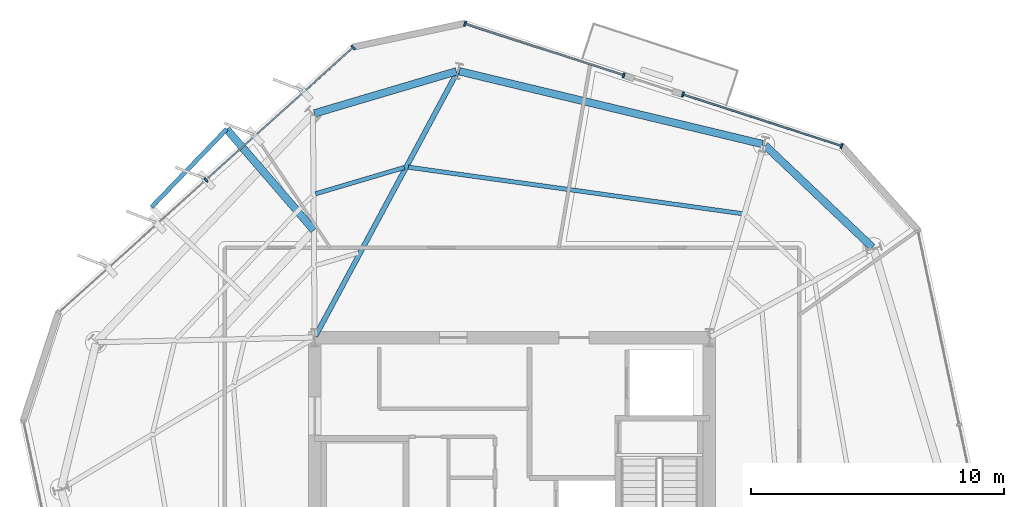
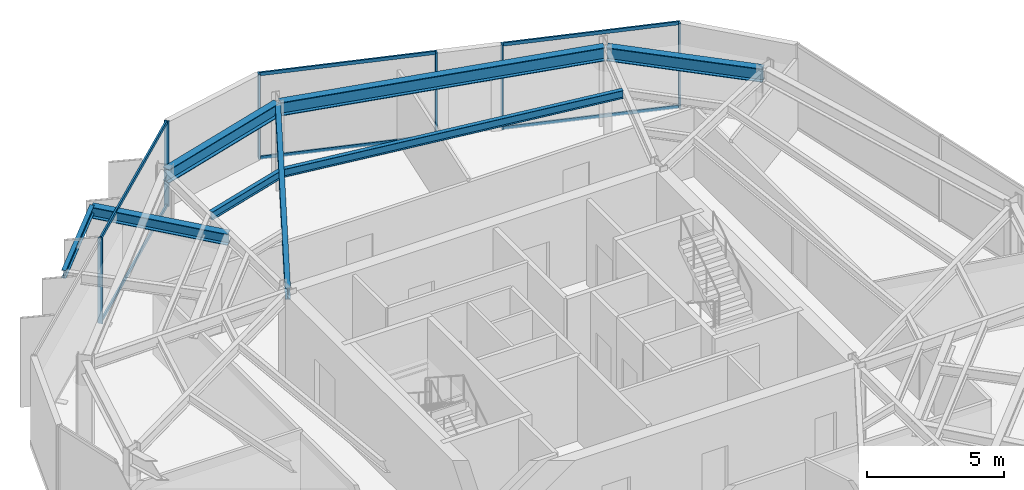
# One storey, part 5 of 11: 12 members, 8 beams, 3 elements without a shape of their own.
"""IFC4 building model written with IfcOpenShell, lengths in metres."""

from ifc_helpers import new_model, si_unit, direction, frame, origin, origin_2d, place, context, subcontext, project, spatial, rectangle, i_section, extrude, material, layer, layer_set, material_profile, profile_set, type_object, element, aggregate, save


model = new_model("IFC4")

# Units and contexts
model_context = context("Model", 3, precision=1e-05, world=origin(), true_north=direction((0.0, 1.0)))
body_context = subcontext(model_context, "Body", "Model", "MODEL_VIEW")
ifc_project = project(units=[si_unit("LENGTHUNIT", "METRE"), si_unit("AREAUNIT", "SQUARE_METRE"), si_unit("VOLUMEUNIT", "CUBIC_METRE"), si_unit("PLANEANGLEUNIT", "RADIAN"), si_unit("MASSUNIT", "GRAM", prefix="KILO")], contexts=[model_context])

# Site, building, storey
site_placement = place(None, origin())
site = spatial("IfcSite", under=ifc_project, at=site_placement, CompositionType="ELEMENT")
building_placement = place(site_placement, origin())
building = spatial("IfcBuilding", under=site, at=building_placement, Name="Kranzbogen Civic Tower", CompositionType="ELEMENT")
storey_placement = place(building_placement, frame((0.0, 0.0, 192.800048828125)))
storey = spatial("IfcBuildingStorey", under=building, at=storey_placement, Name="L46", CompositionType="ELEMENT", Elevation=192.800048828125)

# Curtain wall, members
ifc_material_1 = material(Name="Pale Anodised Aluminium", Category="aluminium")
ifc_layer = layer(ifc_material_1, 0.219970703125, Name="Pale Anodised Aluminium")
ifc_layer_set = layer_set([ifc_layer], Name="Pale Anodised Aluminium")
curtain_wall_type = type_object("IfcCurtainWallType", Name="Zone 3 Stick Curtain Wall System CW-04", PredefinedType="USERDEFINED", material=ifc_layer_set)
curtain_wall_1_placement = place(storey_placement, origin())
curtain_wall_1 = element("IfcCurtainWall", 1, at=curtain_wall_1_placement, inside=storey, type_object=curtain_wall_type, Name="L46 curtain wall CW-L46-F1-S1", ObjectType="STICK CURTAIN WALL", PredefinedType="USERDEFINED")
ifc_material_profile_1 = material_profile(ifc_material_1, rectangle(XDim=0.070068359375, YDim=0.199951171875, at=origin_2d()), Name="ALU-M 70x200")
ifc_profile_set_1 = profile_set([ifc_material_profile_1], Name="Pale Anodised Aluminium")
member_type_1 = type_object("IfcMemberType", Name="Curtain Wall Mullion ALU-M 70x200", PredefinedType="MULLION", material=ifc_profile_set_1)
member_1_placement = place(storey_placement, frame((38.025390625, 39.769287109375, 0.0), z_axis=(0.0, 0.0, 1.0), x_axis=(-0.951060572713, 0.309004509725, 0.0)))
member_1 = element("IfcMember", 2, at=member_1_placement, type_object=member_type_1, Name="CW-04 mullion 1", PredefinedType="MULLION", context=body_context, shape_type="SweptSolid", body=[
    extrude(rectangle(XDim=0.070068359375, YDim=0.199951171875, at=origin_2d()), origin(), (0.0, 0.0, 1.0), 3.780029296875),
])
member_2_placement = place(storey_placement, frame((31.754638671875, 41.806640625, 0.0), z_axis=(0.0, 0.0, 1.0), x_axis=(-0.951060572713, 0.309004509725, 0.0)))
member_2 = element("IfcMember", 3, at=member_2_placement, type_object=member_type_1, Name="CW-04 mullion 2", PredefinedType="MULLION", context=body_context, shape_type="SweptSolid", body=[
    extrude(rectangle(XDim=0.070068359375, YDim=0.199951171875, at=origin_2d()), origin(), (0.0, 0.0, 1.0), 3.780029296875),
])

curtain_wall_2_placement = place(storey_placement, origin())
curtain_wall_2 = element("IfcCurtainWall", 4, at=curtain_wall_2_placement, inside=storey, type_object=curtain_wall_type, Name="L46 curtain wall CW-L46-F1-S2", ObjectType="STICK CURTAIN WALL", PredefinedType="USERDEFINED")
member_3_placement = place(storey_placement, frame((29.41455078125, 42.5673828125, 0.0), z_axis=(0.0, 0.0, 1.0), x_axis=(-0.951060572713, 0.309004509725, 0.0)))
member_3 = element("IfcMember", 5, at=member_3_placement, type_object=member_type_1, Name="CW-04 mullion 1", PredefinedType="MULLION", context=body_context, shape_type="SweptSolid", body=[
    extrude(rectangle(XDim=0.070068359375, YDim=0.199951171875, at=origin_2d()), origin(), (0.0, 0.0, 1.0), 3.780029296875),
])
member_4_placement = place(storey_placement, frame((23.1435546875, 44.604736328125, 0.0), z_axis=(0.0, 0.0, 1.0), x_axis=(-0.951060572713, 0.309004509725, 0.0)))
member_4 = element("IfcMember", 6, at=member_4_placement, type_object=member_type_1, Name="CW-04 mullion 2", PredefinedType="MULLION", context=body_context, shape_type="SweptSolid", body=[
    extrude(rectangle(XDim=0.070068359375, YDim=0.199951171875, at=origin_2d()), origin(), (0.0, 0.0, 1.0), 3.780029296875),
])

curtain_wall_3_placement = place(storey_placement, origin())
curtain_wall_3 = element("IfcCurtainWall", 7, at=curtain_wall_3_placement, inside=storey, type_object=curtain_wall_type, Name="L46 curtain wall CW-L46-F2", ObjectType="STICK CURTAIN WALL", PredefinedType="USERDEFINED")
member_5_placement = place(storey_placement, frame((18.7216796875, 43.6650390625, 0.0), z_axis=(0.0, 0.0, 1.0), x_axis=(-0.743158008002, -0.669115965392, 0.0)))
member_5 = element("IfcMember", 8, at=member_5_placement, type_object=member_type_1, Name="CW-04 mullion 1", PredefinedType="MULLION", context=body_context, shape_type="SweptSolid", body=[
    extrude(rectangle(XDim=0.070068359375, YDim=0.199951171875, at=origin_2d()), origin(), (0.0, 0.0, 1.0), 3.780029296875),
])
member_6_placement = place(storey_placement, frame((12.907470703125, 38.429931640625, 0.0), z_axis=(0.0, 0.0, 1.0), x_axis=(-0.743158008002, -0.669115965392, 0.0)))
member_6 = element("IfcMember", 9, at=member_6_placement, type_object=member_type_1, Name="CW-04 mullion 2", PredefinedType="MULLION", context=body_context, shape_type="SweptSolid", body=[
    extrude(rectangle(XDim=0.070068359375, YDim=0.199951171875, at=origin_2d()), origin(), (0.0, 0.0, 1.0), 3.780029296875),
])

# Member
ifc_material_profile_2 = material_profile(ifc_material_1, rectangle(XDim=0.070068359375, YDim=0.14990234375, at=origin_2d()), Name="ALU-T 70x150")
ifc_profile_set_2 = profile_set([ifc_material_profile_2], Name="Pale Anodised Aluminium")
member_type_2 = type_object("IfcMemberType", Name="Curtain Wall Transom ALU-T 70x150", PredefinedType="USERDEFINED", material=ifc_profile_set_2)
member_7_placement = place(storey_placement, frame((37.996826171875, 39.778564453125, 0.030029296875), z_axis=(-0.951065917551, 0.308988058786, 0.0), x_axis=(-0.308988058786, -0.951065917551, 0.0)))
member_7 = element("IfcMember", 10, at=member_7_placement, type_object=member_type_2, Name="CW-04 transom 1.1", ObjectType="TRANSOM", PredefinedType="USERDEFINED", context=body_context, shape_type="SweptSolid", body=[
    extrude(rectangle(XDim=0.070068359375, YDim=0.14990234375, at=origin_2d()), origin(), (0.0, 0.0, 1.0), 6.53369140625),
])

member_8_placement = place(storey_placement, frame((37.996826171875, 39.778564453125, 3.75), z_axis=(-0.951065917551, 0.308988058786, 0.0), x_axis=(-0.308988058786, -0.951065917551, 0.0)))
member_8 = element("IfcMember", 11, at=member_8_placement, type_object=member_type_2, Name="CW-04 transom 1.2", ObjectType="TRANSOM", PredefinedType="USERDEFINED", context=body_context, shape_type="SweptSolid", body=[
    extrude(rectangle(XDim=0.070068359375, YDim=0.14990234375, at=origin_2d()), origin(), (0.0, 0.0, 1.0), 6.53369140625),
])

aggregate(curtain_wall_1, [member_1, member_2, member_7, member_8])

member_9_placement = place(storey_placement, frame((29.385986328125, 42.57666015625, 0.030029296875), z_axis=(-0.951065917551, 0.308988058786, 0.0), x_axis=(-0.308988058786, -0.951065917551, 0.0)))
member_9 = element("IfcMember", 12, at=member_9_placement, type_object=member_type_2, Name="CW-04 transom 1.1", ObjectType="TRANSOM", PredefinedType="USERDEFINED", context=body_context, shape_type="SweptSolid", body=[
    extrude(rectangle(XDim=0.070068359375, YDim=0.14990234375, at=origin_2d()), origin(), (0.0, 0.0, 1.0), 6.53369140625),
])

member_10_placement = place(storey_placement, frame((29.385986328125, 42.57666015625, 3.75), z_axis=(-0.951065917551, 0.308988058786, 0.0), x_axis=(-0.308988058786, -0.951065917551, 0.0)))
member_10 = element("IfcMember", 13, at=member_10_placement, type_object=member_type_2, Name="CW-04 transom 1.2", ObjectType="TRANSOM", PredefinedType="USERDEFINED", context=body_context, shape_type="SweptSolid", body=[
    extrude(rectangle(XDim=0.070068359375, YDim=0.14990234375, at=origin_2d()), origin(), (0.0, 0.0, 1.0), 6.53369140625),
])

aggregate(curtain_wall_2, [member_3, member_4, member_9, member_10])

member_11_placement = place(storey_placement, frame((18.699462890625, 43.644775390625, 0.030029296875), z_axis=(-0.743179989098, -0.669091551138, 0.0), x_axis=(0.669091551138, -0.743179989098, 0.0)))
member_11 = element("IfcMember", 14, at=member_11_placement, type_object=member_type_2, Name="CW-04 transom 1.1", ObjectType="TRANSOM", PredefinedType="USERDEFINED", context=body_context, shape_type="SweptSolid", body=[
    extrude(rectangle(XDim=0.070068359375, YDim=0.14990234375, at=origin_2d()), origin(), (0.0, 0.0, 1.0), 7.763671875),
])

member_12_placement = place(storey_placement, frame((18.699462890625, 43.644775390625, 3.75), z_axis=(-0.743179989098, -0.669091551138, 0.0), x_axis=(0.669091551138, -0.743179989098, 0.0)))
member_12 = element("IfcMember", 15, at=member_12_placement, type_object=member_type_2, Name="CW-04 transom 1.2", ObjectType="TRANSOM", PredefinedType="USERDEFINED", context=body_context, shape_type="SweptSolid", body=[
    extrude(rectangle(XDim=0.070068359375, YDim=0.14990234375, at=origin_2d()), origin(), (0.0, 0.0, 1.0), 7.763671875),
])

aggregate(curtain_wall_3, [member_5, member_6, member_11, member_12])

# Beams
ifc_material_2 = material(Name="Steel S355", Category="steel")
ifc_material_profile_3 = material_profile(ifc_material_2, i_section(OverallWidth=0.300048828125, OverallDepth=0.5, WebThickness=0.014404296875, FlangeThickness=0.028076171875, at=origin_2d()), Name="HEB 500")
ifc_profile_set_3 = profile_set([ifc_material_profile_3], Name="Steel S355")
beam_type_1 = type_object("IfcBeamType", Name="Perimeter Tube Spandrel Beam HEB 500", PredefinedType="SPANDREL", material=ifc_profile_set_3)
beam_1_placement = place(storey_placement, frame((17.16796875, 36.444091796875, 3.5), z_axis=(-0.653086054524, 0.757283702047, 0.0), x_axis=(-0.757283702047, -0.653086054524, 0.0)))
element("IfcBeam", 16, at=beam_1_placement, inside=storey, type_object=beam_type_1, Name="L47 back-spanned terrace beam L47-TB1-1", PredefinedType="SPANDREL", context=body_context, shape_type="SweptSolid", body=[
    extrude(i_section(OverallWidth=0.300048828125, OverallDepth=0.5, WebThickness=0.014404296875, FlangeThickness=0.028076171875, at=origin_2d()), origin(), (0.0, 0.0, 1.0), 5.276611328125),
])
ifc_material_profile_4 = material_profile(ifc_material_2, i_section(OverallWidth=0.300048828125, OverallDepth=0.60009765625, WebThickness=0.015380859375, FlangeThickness=0.030029296875, at=origin_2d()), Name="HEB 600")
ifc_profile_set_4 = profile_set([ifc_material_profile_4], Name="Steel S355")
beam_type_2 = type_object("IfcBeamType", Name="Perimeter Tube Spandrel Beam HEB 600", PredefinedType="SPANDREL", material=ifc_profile_set_4)
beam_2_placement = place(storey_placement, frame((39.2490234375, 35.764892578125, 3.47998046875), z_axis=(-0.725245206788, 0.688490660816, 0.0), x_axis=(-0.688490660816, -0.725245206788, 0.0)))
element("IfcBeam", 17, at=beam_2_placement, inside=storey, type_object=beam_type_2, Name="L46 perimeter spandrel beam 07", PredefinedType="SPANDREL", context=body_context, shape_type="SweptSolid", body=[
    extrude(i_section(OverallWidth=0.300048828125, OverallDepth=0.60009765625, WebThickness=0.015380859375, FlangeThickness=0.030029296875, at=origin_2d()), origin(), (0.0, 0.0, 1.0), 5.85205078125),
])
beam_3_placement = place(storey_placement, frame((34.903076171875, 39.84912109375, 3.47998046875), z_axis=(-0.972377592092, 0.233413406637, 0.0), x_axis=(-0.233413406637, -0.972377592092, 0.0)))
element("IfcBeam", 18, at=beam_3_placement, inside=storey, type_object=beam_type_2, Name="L46 perimeter spandrel beam 08", PredefinedType="SPANDREL", context=body_context, shape_type="SweptSolid", body=[
    extrude(i_section(OverallWidth=0.300048828125, OverallDepth=0.60009765625, WebThickness=0.015380859375, FlangeThickness=0.030029296875, at=origin_2d()), origin(), (0.0, 0.0, 1.0), 12.32568359375),
])
beam_4_placement = place(storey_placement, frame((22.802001953125, 42.722900390625, 3.47998046875), z_axis=(-0.9588296723, -0.283981794341, 0.0), x_axis=(0.283981794341, -0.9588296723, 0.0)))
element("IfcBeam", 19, at=beam_4_placement, inside=storey, type_object=beam_type_2, Name="L46 perimeter spandrel beam 09", PredefinedType="SPANDREL", context=body_context, shape_type="SweptSolid", body=[
    extrude(i_section(OverallWidth=0.300048828125, OverallDepth=0.60009765625, WebThickness=0.015380859375, FlangeThickness=0.030029296875, at=origin_2d()), origin(), (0.0, 0.0, 1.0), 5.85205078125),
])
ifc_material_profile_5 = material_profile(ifc_material_2, i_section(OverallWidth=0.199951171875, OverallDepth=0.5, WebThickness=0.01025390625, FlangeThickness=0.01611328125, at=origin_2d()), Name="IPE 500")
ifc_profile_set_5 = profile_set([ifc_material_profile_5], Name="Steel S355")
beam_type_3 = type_object("IfcBeamType", Name="Radial Tower Floor Girder IPE 500", PredefinedType="BEAM", material=ifc_profile_set_5)
beam_5_placement = place(storey_placement, frame((22.83203125, 42.68701171875, 3.530029296875), z_axis=(-0.473160413549, -0.880976289721, 0.0), x_axis=(0.880976289721, -0.473160413549, 0.0)))
element("IfcBeam", 20, at=beam_5_placement, inside=storey, type_object=beam_type_3, Name="L46 radial floor girder 09", PredefinedType="BEAM", context=body_context, shape_type="SweptSolid", body=[
    extrude(i_section(OverallWidth=0.199951171875, OverallDepth=0.5, WebThickness=0.01025390625, FlangeThickness=0.01611328125, at=origin_2d()), origin(), (0.0, 0.0, 1.0), 11.84375),
])
ifc_material_profile_6 = material_profile(ifc_material_2, i_section(OverallWidth=0.169921875, OverallDepth=0.360107421875, WebThickness=0.008056640625, FlangeThickness=0.0126953125, at=origin_2d()), Name="IPE 360")
ifc_profile_set_6 = profile_set([ifc_material_profile_6], Name="Steel S355")
beam_type_4 = type_object("IfcBeamType", Name="Secondary Composite Floor Joist IPE 360", PredefinedType="JOIST", material=ifc_profile_set_6)
beam_6_placement = place(storey_placement, frame((34.10400390625, 37.096923828125, 3.599853515625), z_axis=(-0.990445837232, 0.137902296968, 0.0), x_axis=(-0.137902296968, -0.990445837232, 0.0)))
element("IfcBeam", 21, at=beam_6_placement, inside=storey, type_object=beam_type_4, Name="L46 secondary floor joist 1.08", PredefinedType="JOIST", context=body_context, shape_type="SweptSolid", body=[
    extrude(i_section(OverallWidth=0.169921875, OverallDepth=0.360107421875, WebThickness=0.008056640625, FlangeThickness=0.0126953125, at=origin_2d()), origin(), (0.0, 0.0, 1.0), 13.329345703125),
])
beam_7_placement = place(storey_placement, frame((20.74609375, 38.923095703125, 3.599853515625), z_axis=(-0.958843823165, -0.283934011309, 0.0), x_axis=(0.283934011309, -0.958843823165, 0.0)))
element("IfcBeam", 22, at=beam_7_placement, inside=storey, type_object=beam_type_4, Name="L46 secondary floor joist 1.09", PredefinedType="JOIST", context=body_context, shape_type="SweptSolid", body=[
    extrude(i_section(OverallWidth=0.169921875, OverallDepth=0.360107421875, WebThickness=0.008056640625, FlangeThickness=0.0126953125, at=origin_2d()), origin(), (0.0, 0.0, 1.0), 3.662841796875),
])
beam_8_placement = place(storey_placement, frame((13.721923828125, 40.43994140625, 3.570068359375), z_axis=(-0.6937765224, -0.720190347732, 0.0), x_axis=(0.720190347732, -0.6937765224, 0.0)))
element("IfcBeam", 23, at=beam_8_placement, inside=storey, type_object=beam_type_4, Name="L47 terrace outer edge trimmer L47-TB1", PredefinedType="JOIST", context=body_context, shape_type="SweptSolid", body=[
    extrude(i_section(OverallWidth=0.169921875, OverallDepth=0.360107421875, WebThickness=0.008056640625, FlangeThickness=0.0126953125, at=origin_2d()), origin(), (0.0, 0.0, 1.0), 4.279541015625),
])

save(model, "model.ifc")
